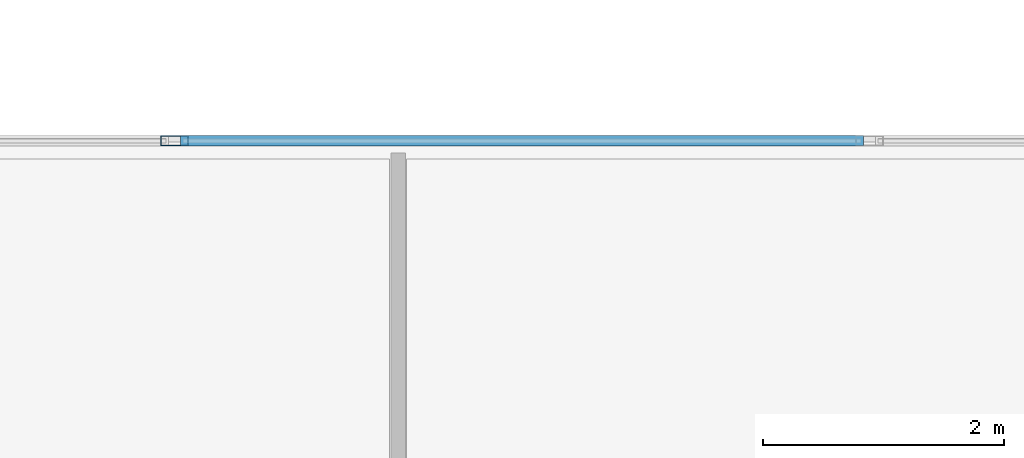
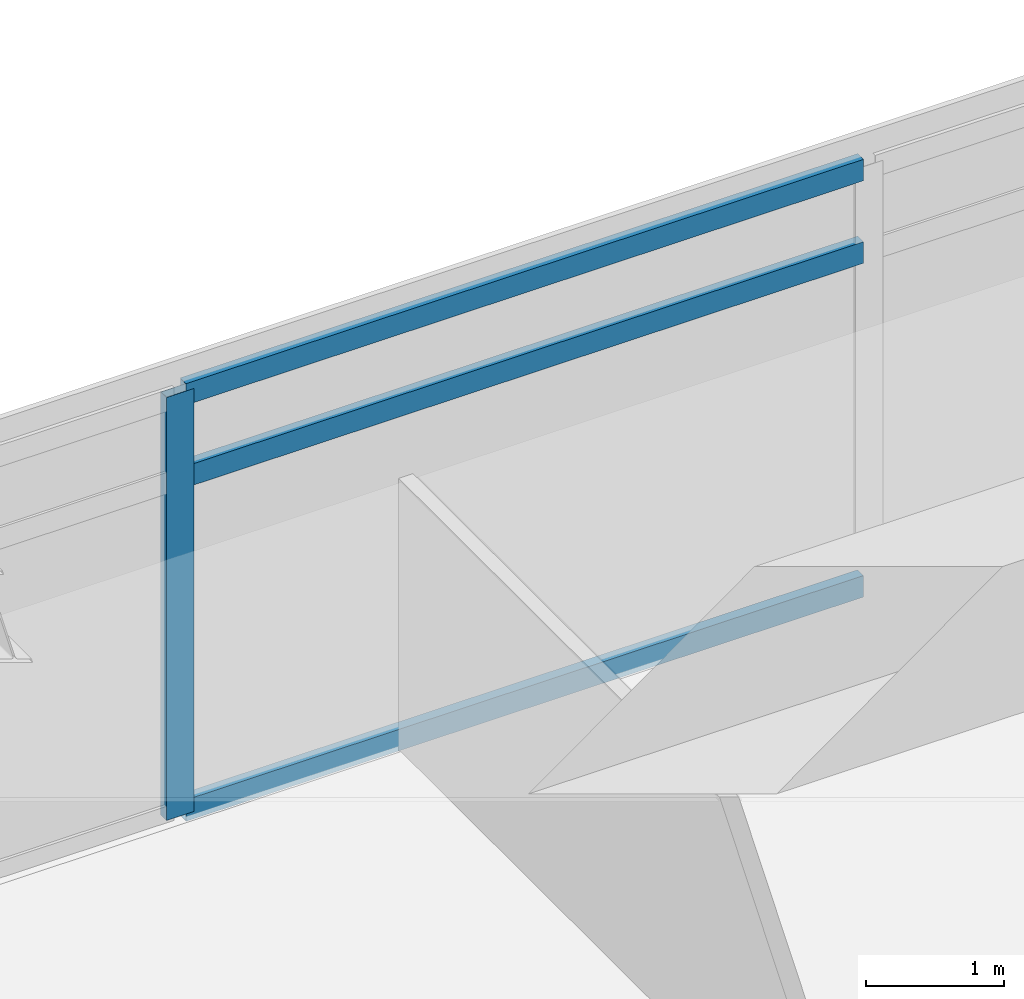
# One storey, part 7 of 20: 4 members, 1 element without a shape of its own.
"""IFC4 building model written with IfcOpenShell, lengths in metres."""

from ifc_helpers import new_model, si_unit, direction, frame, origin, origin_2d, place, context, subcontext, project, spatial, hollow_rectangle, extrude, material, material_profile, profile_set, type_object, element, aggregate, save


model = new_model("IFC4")

# Units and contexts
model_context = context("Model", 3, precision=1e-05, world=origin(), true_north=direction((0.0, 1.0)))
body_context = subcontext(model_context, "Body", "Model", "MODEL_VIEW")
ifc_project = project(units=[si_unit("LENGTHUNIT", "METRE"), si_unit("AREAUNIT", "SQUARE_METRE"), si_unit("VOLUMEUNIT", "CUBIC_METRE"), si_unit("PLANEANGLEUNIT", "RADIAN"), si_unit("MASSUNIT", "GRAM", prefix="KILO")], contexts=[model_context])

# Site, building, storey
site_placement = place(None, origin())
site = spatial("IfcSite", under=ifc_project, at=site_placement, CompositionType="ELEMENT")
building_placement = place(site_placement, origin())
building = spatial("IfcBuilding", under=site, at=building_placement, Name="Kovane Verandah Tower", CompositionType="ELEMENT")
storey_placement = place(building_placement, frame((0.0, 0.0, 306.800048828125)))
storey = spatial("IfcBuildingStorey", under=building, at=storey_placement, Name="L71", CompositionType="ELEMENT", Elevation=306.800048828125)

# Curtain wall, members
ifc_material_1 = material(Name="Champagne Anodised Aluminium Frame with Low-E Clear Laminated Glass", Category="aluminium")
curtain_wall_type = type_object("IfcCurtainWallType", Name="CW-SYS-05-HIGH", PredefinedType="NOTDEFINED", material=ifc_material_1)
curtain_wall_placement = place(storey_placement, origin())
curtain_wall = element("IfcCurtainWall", 1, at=curtain_wall_placement, inside=storey, type_object=curtain_wall_type, Name="L71 N Unitised Curtain Wall", PredefinedType="NOTDEFINED")
ifc_material_2 = material(Name="Champagne Anodised Aluminium 6063-T6", Category="aluminium")
ifc_material_profile_1 = material_profile(ifc_material_2, hollow_rectangle(XDim=0.0849609375, YDim=0.22998046875, WallThickness=0.00390625, at=origin_2d()), Name="AL85x230x4")
ifc_profile_set_1 = profile_set([ifc_material_profile_1], Name="Champagne Anodised Aluminium 6063-T6")
member_type_1 = type_object("IfcMemberType", Name="CW-MUL-85x230", PredefinedType="MULLION", material=ifc_profile_set_1)
member_1_placement = place(storey_placement, frame((31.343017578125, 48.699951171875, 0.02001953125), z_axis=(0.0, 0.0, 1.0), x_axis=(0.0, 1.0, 0.0)))
member_1 = element("IfcMember", 2, at=member_1_placement, type_object=member_type_1, Name="L71 N Unitised Curtain Wall Mullion 6", PredefinedType="MULLION", context=body_context, shape_type="SweptSolid", body=[
    extrude(hollow_rectangle(XDim=0.0849609375, YDim=0.22998046875, WallThickness=0.00390625, at=origin_2d()), origin(), (0.0, 0.0, 1.0), 3.744873046875),
])
ifc_material_profile_2 = material_profile(ifc_material_2, hollow_rectangle(XDim=0.0849609375, YDim=0.18994140625, WallThickness=0.00390625, at=origin_2d()), Name="AL85x190x4")
ifc_profile_set_2 = profile_set([ifc_material_profile_2], Name="Champagne Anodised Aluminium 6063-T6")
member_type_2 = type_object("IfcMemberType", Name="CW-TRN-85x190", PredefinedType="USERDEFINED", material=ifc_profile_set_2)
member_2_placement = place(storey_placement, frame((37.064208984375, 48.699951171875, 0.050048828125), z_axis=(-1.0, 0.0, 0.0), x_axis=(0.0, -1.0, 0.0)))
member_2 = element("IfcMember", 3, at=member_2_placement, type_object=member_type_2, Name="L71 N Unitised Curtain Wall Transom TB Bay 5", ObjectType="TRANSOM", PredefinedType="USERDEFINED", context=body_context, shape_type="SweptSolid", body=[
    extrude(hollow_rectangle(XDim=0.0849609375, YDim=0.18994140625, WallThickness=0.00390625, at=origin_2d()), origin(), (0.0, 0.0, 1.0), 5.67138671875),
])
member_3_placement = place(storey_placement, frame((37.064208984375, 48.699951171875, 3.0048828125), z_axis=(-1.0, 0.0, 0.0), x_axis=(0.0, -1.0, 0.0)))
member_3 = element("IfcMember", 4, at=member_3_placement, type_object=member_type_2, Name="L71 N Unitised Curtain Wall Transom TM Bay 5", ObjectType="TRANSOM", PredefinedType="USERDEFINED", context=body_context, shape_type="SweptSolid", body=[
    extrude(hollow_rectangle(XDim=0.0849609375, YDim=0.18994140625, WallThickness=0.00390625, at=origin_2d()), origin(), (0.0, 0.0, 1.0), 5.67138671875),
])
member_4_placement = place(storey_placement, frame((37.064208984375, 48.699951171875, 3.73486328125), z_axis=(-1.0, 0.0, 0.0), x_axis=(0.0, -1.0, 0.0)))
member_4 = element("IfcMember", 5, at=member_4_placement, type_object=member_type_2, Name="L71 N Unitised Curtain Wall Transom TT Bay 5", ObjectType="TRANSOM", PredefinedType="USERDEFINED", context=body_context, shape_type="SweptSolid", body=[
    extrude(hollow_rectangle(XDim=0.0849609375, YDim=0.18994140625, WallThickness=0.00390625, at=origin_2d()), origin(), (0.0, 0.0, 1.0), 5.67138671875),
])
aggregate(curtain_wall, [member_1, member_2, member_3, member_4])

save(model, "model.ifc")
